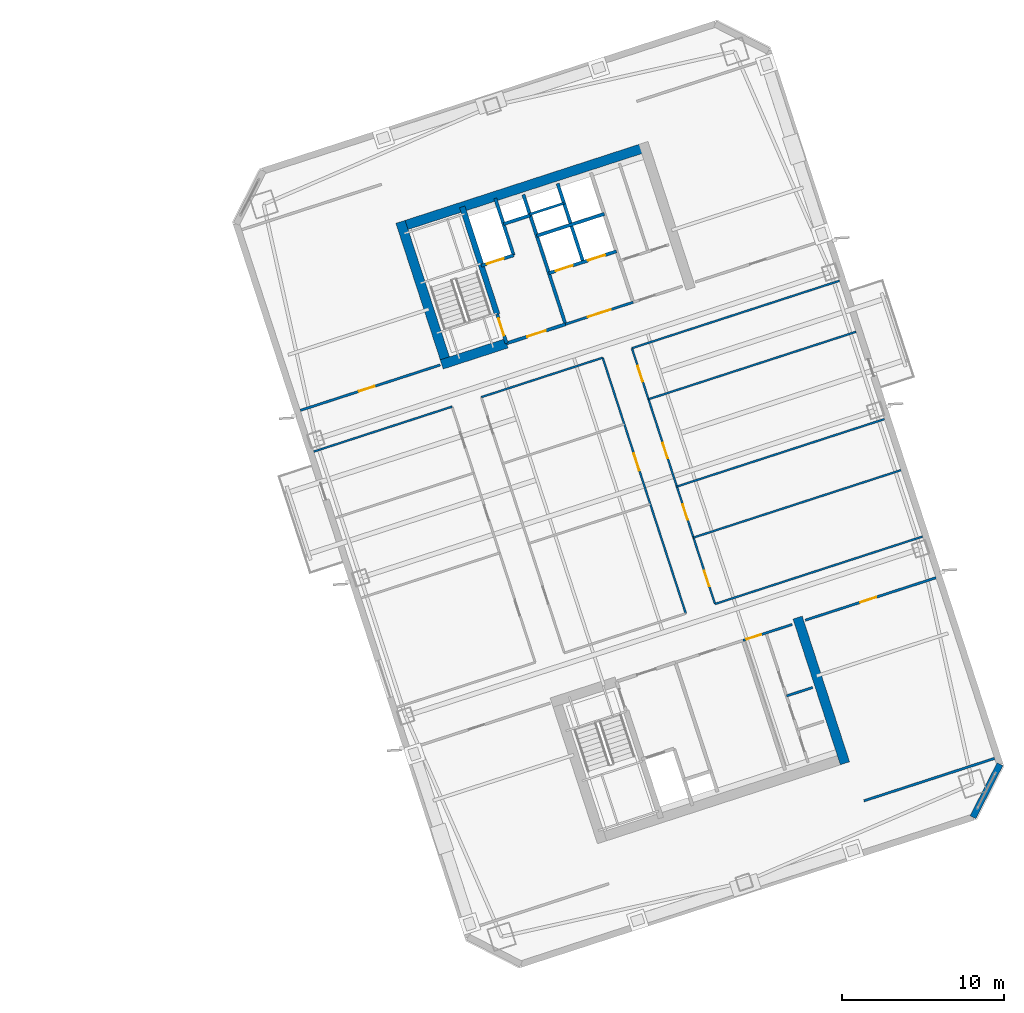
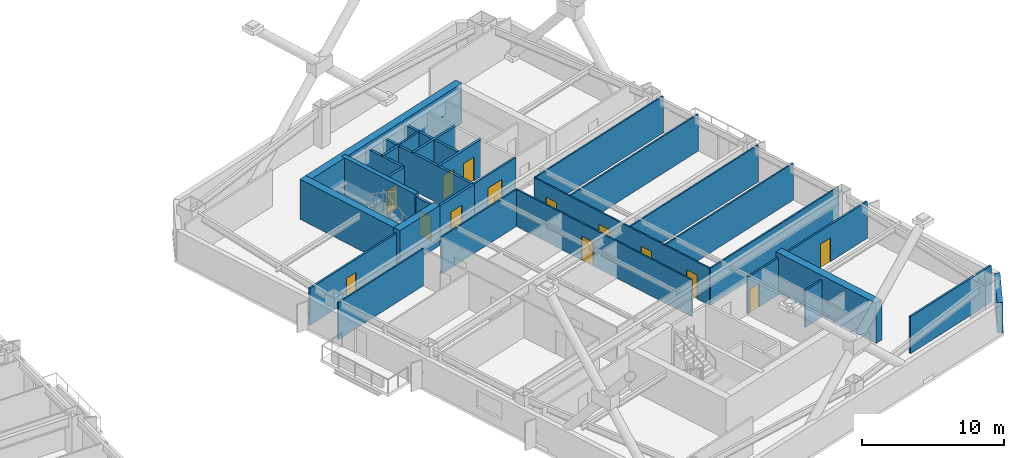
# One storey, part 16 of 24: 31 walls, 14 doors, 14 openings.
"""IFC4 building model written with IfcOpenShell, lengths in metres."""

from ifc_helpers import new_model, si_unit, direction, frame, frame_2d, origin, place, context, subcontext, project, spatial, rectangle, extrude, material, layer, layer_set, type_object, element, fill, save


model = new_model("IFC4")

# Units and contexts
model_context = context("Model", 3, precision=1e-05, world=origin(), true_north=direction((0.0, 1.0)))
body_context = subcontext(model_context, "Body", "Model", "MODEL_VIEW")
ifc_project = project(units=[si_unit("LENGTHUNIT", "METRE"), si_unit("AREAUNIT", "SQUARE_METRE"), si_unit("VOLUMEUNIT", "CUBIC_METRE"), si_unit("PLANEANGLEUNIT", "RADIAN"), si_unit("MASSUNIT", "GRAM", prefix="KILO")], contexts=[model_context])

# Site, building, storey
site_placement = place(None, origin())
site = spatial("IfcSite", under=ifc_project, at=site_placement, CompositionType="ELEMENT")
building_placement = place(site_placement, origin())
building = spatial("IfcBuilding", under=site, at=building_placement, Name="Qiaolan Cultural Towers", CompositionType="ELEMENT")
storey_placement = place(building_placement, frame((0.0, 0.0, 120.75)))
storey = spatial("IfcBuildingStorey", under=building, at=storey_placement, Name="L31", CompositionType="ELEMENT", Elevation=120.75)

# Walls
ifc_material_1 = material(Name="Concrete C50", Category="concrete")
ifc_layer_1 = layer(ifc_material_1, 0.35009765625)
ifc_layer_set_1 = layer_set([ifc_layer_1], Name="Concrete C50")
wall_type_1 = type_object("IfcWallType", Name="WL-CORE-350", PredefinedType="SHEAR", material=ifc_layer_set_1)
wall_1_placement = place(storey_placement, frame((82.513671875, 45.13134765625, 0.0), z_axis=(0.0, 0.0, 1.0), x_axis=(-0.308988790936, 0.951065679686, 0.0)))
element("IfcWall", 1, at=wall_1_placement, inside=storey, type_object=wall_type_1, Name="L31 T2-CN Stair Core Dividing Web", PredefinedType="SHEAR", context=body_context, shape_type="SweptSolid", body=[
    extrude(rectangle(XDim=6.97998046875, YDim=0.35009765625, at=frame_2d((3.489990234375, 0.0))), origin(), (0.0, 0.0, 1.0), 3.449951171875),
])
ifc_material_2 = material(Name="Concrete C55", Category="concrete")
ifc_layer_2 = layer(ifc_material_2, 0.60009765625)
ifc_layer_set_2 = layer_set([ifc_layer_2], Name="Concrete C55")
wall_type_2 = type_object("IfcWallType", Name="WL-CORE-600", PredefinedType="SHEAR", material=ifc_layer_set_2)
wall_2_placement = place(storey_placement, frame((101.105224609375, 26.357666015625, 0.0), z_axis=(0.0, 0.0, 1.0), x_axis=(0.309010370028, -0.95105866865, 0.0)))
element("IfcWall", 2, at=wall_2_placement, inside=storey, type_object=wall_type_2, Name="L31 T2-CS East Core Shear Wall", PredefinedType="SHEAR", context=body_context, shape_type="SweptSolid", body=[
    extrude(rectangle(XDim=9.47998046875, YDim=0.60009765625, at=frame_2d((4.739990234375, 0.0))), origin(), (0.0, 0.0, 1.0), 3.449951171875),
])
wall_3_placement = place(storey_placement, frame((76.343505859375, 50.4658203125, 0.0), z_axis=(0.0, 0.0, 1.0), x_axis=(0.951055727519, 0.309019421968, 0.0)))
element("IfcWall", 3, at=wall_3_placement, inside=storey, type_object=wall_type_2, Name="L31 T2-CN Outer Core Shear Wall", PredefinedType="SHEAR", context=body_context, shape_type="SweptSolid", body=[
    extrude(rectangle(XDim=16.39990234375, YDim=0.60009765625, at=frame_2d((8.199951171875, 0.0))), origin(), (0.0, 0.0, 1.0), 3.449951171875),
])
wall_4_placement = place(storey_placement, frame((79.465576171875, 41.827880859375, 0.0), z_axis=(0.0, 0.0, 1.0), x_axis=(-0.309041232772, 0.951048640421, 0.0)))
element("IfcWall", 4, at=wall_4_placement, inside=storey, type_object=wall_type_2, Name="L31 T2-CN West Core Shear Wall", PredefinedType="SHEAR", context=body_context, shape_type="SweptSolid", body=[
    extrude(rectangle(XDim=9.47998046875, YDim=0.60009765625, at=frame_2d((4.739990234375, 0.0))), origin(), (0.0, 0.0, 1.0), 3.449951171875),
])
wall_5_placement = place(storey_placement, frame((79.08740234375, 42.0205078125, 0.0), z_axis=(0.0, 0.0, 1.0), x_axis=(0.951062550203, 0.3089984233, 0.0)))
element("IfcWall", 5, at=wall_5_placement, inside=storey, type_object=wall_type_2, Name="L31 T2-CN Stair Front Shear Wall", PredefinedType="SHEAR", context=body_context, shape_type="SweptSolid", body=[
    extrude(rectangle(XDim=4.219970703125, YDim=0.60009765625, at=frame_2d((2.10986328125, 0.0))), origin(), (0.0, 0.0, 1.0), 3.449951171875),
])
ifc_material_3 = material(Name="Precast Concrete C50 Honed Stone Pier", Category="masonry")
ifc_layer_3 = layer(ifc_material_3, 0.39990234375)
ifc_layer_set_3 = layer_set([ifc_layer_3], Name="Precast Concrete C50 Honed Stone Pier")
wall_type_3 = type_object("IfcWallType", Name="WL-EXT-PIER-400", PredefinedType="SOLIDWALL", material=ifc_layer_set_3)
wall_6_placement = place(storey_placement, frame((113.62255859375, 17.281494140625, 0.0), z_axis=(0.0, 0.0, 1.0), x_axis=(-0.454026238093, -0.890988313685, 0.0)))
element("IfcWall", 6, at=wall_6_placement, inside=storey, type_object=wall_type_3, Name="L31 East Tower Precast Pier Facade Wall F6", PredefinedType="SOLIDWALL", context=body_context, shape_type="SweptSolid", body=[
    extrude(rectangle(XDim=3.677001953125, YDim=0.39990234375, at=frame_2d((1.83837890625, 0.0))), origin(), (0.0, 0.0, 1.0), 2.610107421875),
])

# Wall, opening, door
ifc_material_4 = material(Name="Concrete C35 Fire Wall", Category="concrete")
ifc_layer_4 = layer(ifc_material_4, 0.199951171875)
ifc_layer_set_4 = layer_set([ifc_layer_4], Name="Concrete C35 Fire Wall")
wall_type_4 = type_object("IfcWallType", Name="WL-FIRE-200", PredefinedType="PARTITIONING", material=ifc_layer_set_4)
wall_7_placement = place(storey_placement, frame((83.100830078125, 43.324462890625, 0.0), z_axis=(0.0, 0.0, 1.0), x_axis=(-0.309048298632, 0.951046344356, 0.0)))
wall_7 = element("IfcWall", 7, at=wall_7_placement, inside=storey, type_object=wall_type_4, Name="L31 T2-CN Smokeproof Stair Entry Wall", PredefinedType="PARTITIONING", context=body_context, shape_type="SweptSolid", body=[
    extrude(rectangle(XDim=1.89990234375, YDim=0.199951171875, at=frame_2d((0.949951171875, 0.0))), origin(), (0.0, 0.0, 1.0), 3.175048828125),
])
opening_1_placement = place(wall_7_placement, frame((0.52001953125, 0.0, 0.0)))
opening_1 = element("IfcOpeningElement", 8, at=opening_1_placement, cuts=wall_7, Name="Opening FD-04", PredefinedType="OPENING", context=body_context, shape_type="SweptSolid", body=[
    extrude(rectangle(XDim=1.10009765625, YDim=2.050048828125, at=frame_2d((0.550048828125, 1.02490234375))), frame((0.0, 0.10986328125, 0.0), z_axis=(0.0, -1.0, 0.0), x_axis=(1.0, 0.0, 0.0)), (0.0, 0.0, 1.0), 0.219970703125),
])
ifc_material_5 = material(Name="Galvanized Steel Command Fire Door", Category="steel")
door_type_1 = type_object("IfcDoorType", Name="DR-FD90-1100", OperationType="NOTDEFINED", PredefinedType="DOOR", material=ifc_material_5)
door_1_placement = place(opening_1_placement, origin())
door_1 = element("IfcDoor", 9, at=door_1_placement, inside=storey, type_object=door_type_1, Name="L31 ST-E2 Smokeproof Stair Fire Door", OperationType="SINGLE_SWING_LEFT", OverallHeight=2.050048828125, OverallWidth=1.10009765625, PredefinedType="DOOR", context=body_context, shape_type="SweptSolid", body=[
    extrude(rectangle(XDim=1.10009765625, YDim=2.050048828125, at=frame_2d((0.550048828125, 1.02490234375))), frame((0.0, 0.02490234375, 0.0), z_axis=(0.0, -1.0, 0.0), x_axis=(1.0, 0.0, 0.0)), (0.0, 0.0, 1.0), 0.050048828125),
])
fill(opening_1, door_1)

# Wall
wall_8_placement = place(storey_placement, frame((86.743408203125, 44.508056640625, 0.0), z_axis=(0.0, 0.0, 1.0), x_axis=(-0.309016001439, 0.951056838919, 0.0)))
element("IfcWall", 10, at=wall_8_placement, inside=storey, type_object=wall_type_4, Name="L31 T2-CN Firefighting Zone Wall", PredefinedType="PARTITIONING", context=body_context, shape_type="SweptSolid", body=[
    extrude(rectangle(XDim=8.429931640625, YDim=0.199951171875, at=frame_2d((4.21484375, 0.0))), origin(), (0.0, 0.0, 1.0), 3.175048828125),
])

# Wall, opening, door
wall_9_placement = place(storey_placement, frame((83.100830078125, 43.324462890625, 0.0), z_axis=(0.0, 0.0, 1.0), x_axis=(0.951052804469, 0.309028417967, 0.0)))
wall_9 = element("IfcWall", 11, at=wall_9_placement, inside=storey, type_object=wall_type_4, Name="L31 T2-CN Firefighting Lobby Front Wall", PredefinedType="PARTITIONING", context=body_context, shape_type="SweptSolid", body=[
    extrude(rectangle(XDim=3.830078125, YDim=0.199951171875, at=frame_2d((1.9150390625, 0.0))), origin(), (0.0, 0.0, 1.0), 3.175048828125),
])
opening_2_placement = place(wall_9_placement, frame((1.35009765625, 0.0, 0.0)))
opening_2 = element("IfcOpeningElement", 12, at=opening_2_placement, cuts=wall_9, Name="Opening FD-03", PredefinedType="OPENING", context=body_context, shape_type="SweptSolid", body=[
    extrude(rectangle(XDim=1.199951171875, YDim=2.050048828125, at=frame_2d((0.60009765625, 1.02490234375))), frame((0.0, 0.10986328125, 0.0), z_axis=(0.0, -1.0, 0.0), x_axis=(1.0, 0.0, 0.0)), (0.0, 0.0, 1.0), 0.219970703125),
])
ifc_material_6 = material(Name="Galvanized Steel Smokeproof Lobby Fire Door", Category="steel")
door_type_2 = type_object("IfcDoorType", Name="DR-FD90-1200", OperationType="NOTDEFINED", PredefinedType="DOOR", material=ifc_material_6)
door_2_placement = place(opening_2_placement, origin())
door_2 = element("IfcDoor", 13, at=door_2_placement, inside=storey, type_object=door_type_2, Name="L31 FFL-E2 Firefighting Lobby Fire Door", OperationType="SINGLE_SWING_LEFT", OverallHeight=2.050048828125, OverallWidth=1.199951171875, PredefinedType="DOOR", context=body_context, shape_type="SweptSolid", body=[
    extrude(rectangle(XDim=1.199951171875, YDim=2.050048828125, at=frame_2d((0.60009765625, 1.02490234375))), frame((0.0, 0.02490234375, 0.0), z_axis=(0.0, -1.0, 0.0), x_axis=(1.0, 0.0, 0.0)), (0.0, 0.0, 1.0), 0.050048828125),
])
fill(opening_2, door_2)

wall_10_placement = place(storey_placement, frame((81.540283203125, 48.127197265625, 0.0), z_axis=(0.0, 0.0, 1.0), x_axis=(0.951062257173, 0.308999325213, 0.0)))
wall_10 = element("IfcWall", 14, at=wall_10_placement, inside=storey, type_object=wall_type_4, Name="L31 T2-CN Firefighting Shaft Front Wall", PredefinedType="PARTITIONING", context=body_context, shape_type="SweptSolid", body=[
    extrude(rectangle(XDim=2.10009765625, YDim=0.199951171875, at=frame_2d((1.050048828125, 0.0))), origin(), (0.0, 0.0, 1.0), 3.175048828125),
])
opening_3_placement = place(wall_10_placement, frame((0.35009765625, 0.0, 0.0)))
opening_3 = element("IfcOpeningElement", 15, at=opening_3_placement, cuts=wall_10, Name="Opening LD-01", PredefinedType="OPENING", context=body_context, shape_type="SweptSolid", body=[
    extrude(rectangle(XDim=1.10009765625, YDim=2.050048828125, at=frame_2d((0.550048828125, 1.02490234375))), frame((0.0, 0.10986328125, 0.0), z_axis=(0.0, -1.0, 0.0), x_axis=(1.0, 0.0, 0.0)), (0.0, 0.0, 1.0), 0.219970703125),
])
ifc_material_7 = material(Name="Brushed Stainless Steel S30408 Centre-Parting Lift Landing Door", Category="steel")
door_type_3 = type_object("IfcDoorType", Name="DR-LIFT-1100", OperationType="NOTDEFINED", PredefinedType="DOOR", material=ifc_material_7)
door_3_placement = place(opening_3_placement, origin())
door_3 = element("IfcDoor", 16, at=door_3_placement, inside=storey, type_object=door_type_3, Name="L31 FFL-E2 Firefighting Lift Landing Door", OperationType="DOUBLE_DOOR_SLIDING", OverallHeight=2.050048828125, OverallWidth=1.10009765625, PredefinedType="DOOR", context=body_context, shape_type="SweptSolid", body=[
    extrude(rectangle(XDim=1.10009765625, YDim=2.050048828125, at=frame_2d((0.550048828125, 1.02490234375))), frame((0.0, 0.02490234375, 0.0), z_axis=(0.0, -1.0, 0.0), x_axis=(1.0, 0.0, 0.0)), (0.0, 0.0, 1.0), 0.050048828125),
])
fill(opening_3, door_3)

# Walls
wall_11_placement = place(storey_placement, frame((83.53759765625, 48.776123046875, 0.0), z_axis=(0.0, 0.0, 1.0), x_axis=(-0.3089935693, 0.951064127245, 0.0)))
element("IfcWall", 17, at=wall_11_placement, inside=storey, type_object=wall_type_4, Name="L31 T2-CN Firefighting Hoistway East Wall", PredefinedType="PARTITIONING", context=body_context, shape_type="SweptSolid", body=[
    extrude(rectangle(XDim=3.7001953125, YDim=0.199951171875, at=frame_2d((1.85009765625, 0.0))), origin(), (0.0, 0.0, 1.0), 3.175048828125),
])
wall_12_placement = place(storey_placement, frame((82.910400390625, 50.706787109375, 0.0), z_axis=(0.0, 0.0, 1.0), x_axis=(0.951041328149, 0.309063734775, 0.0)))
element("IfcWall", 18, at=wall_12_placement, inside=storey, type_object=wall_type_4, Name="L31 T2-CN Pressurization Shaft Front Wall", PredefinedType="PARTITIONING", context=body_context, shape_type="SweptSolid", body=[
    extrude(rectangle(XDim=1.72998046875, YDim=0.199951171875, at=frame_2d((0.864990234375, 0.0))), origin(), (0.0, 0.0, 1.0), 3.175048828125),
])

# Wall, openings, doors
wall_13_placement = place(storey_placement, frame((85.717529296875, 47.66552734375, 0.0), z_axis=(0.0, 0.0, 1.0), x_axis=(0.951058531764, 0.30901079133, 0.0)))
wall_13 = element("IfcWall", 19, at=wall_13_placement, inside=storey, type_object=wall_type_4, Name="L31 T2-CN Passenger Lift Shaft Front Wall", PredefinedType="PARTITIONING", context=body_context, shape_type="SweptSolid", body=[
    extrude(rectangle(XDim=4.39990234375, YDim=0.199951171875, at=frame_2d((2.199951171875, 0.0))), origin(), (0.0, 0.0, 1.0), 3.175048828125),
])
opening_4_placement = place(wall_13_placement, frame((0.449951171875, 0.0, 0.0)))
opening_4 = element("IfcOpeningElement", 20, at=opening_4_placement, cuts=wall_13, Name="Opening LD-01", PredefinedType="OPENING", context=body_context, shape_type="SweptSolid", body=[
    extrude(rectangle(XDim=1.10009765625, YDim=2.050048828125, at=frame_2d((0.550048828125, 1.02490234375))), frame((0.0, 0.10986328125, 0.0), z_axis=(0.0, -1.0, 0.0), x_axis=(1.0, 0.0, 0.0)), (0.0, 0.0, 1.0), 0.219970703125),
])
opening_5_placement = place(wall_13_placement, frame((2.550048828125, 0.0, 0.0)))
opening_5 = element("IfcOpeningElement", 21, at=opening_5_placement, cuts=wall_13, Name="Opening LD-01", PredefinedType="OPENING", context=body_context, shape_type="SweptSolid", body=[
    extrude(rectangle(XDim=1.10009765625, YDim=2.050048828125, at=frame_2d((0.550048828125, 1.02490234375))), frame((0.0, 0.10986328125, 0.0), z_axis=(0.0, -1.0, 0.0), x_axis=(1.0, 0.0, 0.0)), (0.0, 0.0, 1.0), 0.219970703125),
])
door_4_placement = place(opening_4_placement, origin())
door_4 = element("IfcDoor", 22, at=door_4_placement, inside=storey, type_object=door_type_3, Name="L31 Passenger Lift 1 Landing Door", OperationType="DOUBLE_DOOR_SLIDING", OverallHeight=2.050048828125, OverallWidth=1.10009765625, PredefinedType="DOOR", context=body_context, shape_type="SweptSolid", body=[
    extrude(rectangle(XDim=1.10009765625, YDim=2.050048828125, at=frame_2d((0.550048828125, 1.02490234375))), frame((0.0, 0.02490234375, 0.0), z_axis=(0.0, -1.0, 0.0), x_axis=(1.0, 0.0, 0.0)), (0.0, 0.0, 1.0), 0.050048828125),
])
fill(opening_4, door_4)
door_5_placement = place(opening_5_placement, origin())
door_5 = element("IfcDoor", 23, at=door_5_placement, inside=storey, type_object=door_type_3, Name="L31 Passenger Lift 2 Landing Door", OperationType="DOUBLE_DOOR_SLIDING", OverallHeight=2.050048828125, OverallWidth=1.10009765625, PredefinedType="DOOR", context=body_context, shape_type="SweptSolid", body=[
    extrude(rectangle(XDim=1.10009765625, YDim=2.050048828125, at=frame_2d((0.550048828125, 1.02490234375))), frame((0.0, 0.02490234375, 0.0), z_axis=(0.0, -1.0, 0.0), x_axis=(1.0, 0.0, 0.0)), (0.0, 0.0, 1.0), 0.050048828125),
])
fill(opening_5, door_5)

# Walls
wall_14_placement = place(storey_placement, frame((87.83837890625, 48.3544921875, 0.0), z_axis=(0.0, 0.0, 1.0), x_axis=(-0.3090093719, 0.951058992953, 0.0)))
element("IfcWall", 24, at=wall_14_placement, inside=storey, type_object=wall_type_4, Name="L31 T2-CN Lift Shaft Divider Wall", PredefinedType="PARTITIONING", context=body_context, shape_type="SweptSolid", body=[
    extrude(rectangle(XDim=5.110107421875, YDim=0.199951171875, at=frame_2d((2.55517578125, 0.0))), origin(), (0.0, 0.0, 1.0), 3.175048828125),
])
wall_15_placement = place(storey_placement, frame((84.966552734375, 49.9765625, 0.0), z_axis=(0.0, 0.0, 1.0), x_axis=(0.951063829732, 0.308994485023, 0.0)))
element("IfcWall", 25, at=wall_15_placement, inside=storey, type_object=wall_type_4, Name="L31 T2-CN Passenger Lift Shaft Back Wall", PredefinedType="PARTITIONING", context=body_context, shape_type="SweptSolid", body=[
    extrude(rectangle(XDim=4.400146484375, YDim=0.199951171875, at=frame_2d((2.2001953125, 0.0))), origin(), (0.0, 0.0, 1.0), 3.175048828125),
])
ifc_material_8 = material(Name="Gypsum Stud Acoustic Partition", Category="gypsum")
ifc_layer_5 = layer(ifc_material_8, 0.1201171875)
ifc_layer_set_5 = layer_set([ifc_layer_5], Name="Gypsum Stud Acoustic Partition")
wall_type_5 = type_object("IfcWallType", Name="WL-PART-120", PredefinedType="PARTITIONING", material=ifc_layer_set_5)
wall_16_placement = place(storey_placement, frame((95.994873046875, 27.19970703125, 0.0), z_axis=(0.0, 0.0, 1.0), x_axis=(0.951057589409, 0.309013691651, 0.0)))
element("IfcWall", 26, at=wall_16_placement, inside=storey, type_object=wall_type_5, Name="L31 T2 Interior Wall", PredefinedType="PARTITIONING", context=body_context, shape_type="SweptSolid", body=[
    extrude(rectangle(XDim=13.499755859375, YDim=0.1201171875, at=frame_2d((6.75, 0.0))), origin(), (0.0, 0.0, 1.0), 3.175048828125),
])
wall_17_placement = place(storey_placement, frame((71.166015625, 36.628662109375, 0.0), z_axis=(0.0, 0.0, 1.0), x_axis=(0.951059383421, 0.309008170129, 0.0)))
element("IfcWall", 27, at=wall_17_placement, inside=storey, type_object=wall_type_5, Name="L31 T2 Interior Wall", PredefinedType="PARTITIONING", context=body_context, shape_type="SweptSolid", body=[
    extrude(rectangle(XDim=8.999755859375, YDim=0.1201171875, at=frame_2d((4.5, 0.0))), origin(), (0.0, 0.0, 1.0), 3.175048828125),
])
wall_18_placement = place(storey_placement, frame((81.532470703125, 39.996826171875, 0.0), z_axis=(0.0, 0.0, 1.0), x_axis=(0.951048148493, 0.309042746635, 0.0)))
element("IfcWall", 28, at=wall_18_placement, inside=storey, type_object=wall_type_5, Name="L31 T2 Interior Wall", PredefinedType="PARTITIONING", context=body_context, shape_type="SweptSolid", body=[
    extrude(rectangle(XDim=7.89990234375, YDim=0.1201171875, at=frame_2d((3.949951171875, 0.0))), origin(), (0.0, 0.0, 1.0), 3.175048828125),
])
wall_19_placement = place(storey_placement, frame((90.852783203125, 43.025146484375, 0.0), z_axis=(0.0, 0.0, 1.0), x_axis=(0.951054001411, 0.309024734286, 0.0)))
element("IfcWall", 29, at=wall_19_placement, inside=storey, type_object=wall_type_5, Name="L31 T2 Interior Wall", PredefinedType="PARTITIONING", context=body_context, shape_type="SweptSolid", body=[
    extrude(rectangle(XDim=13.500244140625, YDim=0.1201171875, at=frame_2d((6.75, 0.0))), origin(), (0.0, 0.0, 1.0), 3.175048828125),
])

# Wall, opening, door
wall_20_placement = place(storey_placement, frame((94.187744140625, 26.612548828125, 0.0), z_axis=(0.0, 0.0, 1.0), x_axis=(-0.30901773025, 0.951056277195, 0.0)))
wall_20 = element("IfcWall", 30, at=wall_20_placement, inside=storey, type_object=wall_type_5, Name="L31 T2 Interior Wall", PredefinedType="PARTITIONING", context=body_context, shape_type="SweptSolid", body=[
    extrude(rectangle(XDim=16.64013671875, YDim=0.1201171875, at=frame_2d((8.320068359375, 0.0))), origin(), (0.0, 0.0, 1.0), 3.175048828125),
])
opening_6_placement = place(wall_20_placement, frame((9.303955078125, 0.0, 0.0)))
opening_6 = element("IfcOpeningElement", 31, at=opening_6_placement, cuts=wall_20, Name="Opening ID-03", PredefinedType="OPENING", context=body_context, shape_type="SweptSolid", body=[
    extrude(rectangle(XDim=1.10009765625, YDim=2.050048828125, at=frame_2d((0.550048828125, 1.02490234375))), frame((0.0, 0.070068359375, 0.0), z_axis=(0.0, -1.0, 0.0), x_axis=(1.0, 0.0, 0.0)), (0.0, 0.0, 1.0), 0.14013671875),
])
ifc_material_9 = material(Name="Oak Veneer Solid-Core Boardroom Door", Category="timber")
door_type_4 = type_object("IfcDoorType", Name="DR-INT-1100", OperationType="NOTDEFINED", PredefinedType="DOOR", material=ifc_material_9)
door_6_placement = place(opening_6_placement, origin())
door_6 = element("IfcDoor", 32, at=door_6_placement, inside=storey, type_object=door_type_4, Name="L31 T2 Central Study Salon Door", OperationType="SINGLE_SWING_LEFT", OverallHeight=2.050048828125, OverallWidth=1.10009765625, PredefinedType="DOOR", context=body_context, shape_type="SweptSolid", body=[
    extrude(rectangle(XDim=1.10009765625, YDim=2.050048828125, at=frame_2d((0.550048828125, 1.02490234375))), frame((0.0, 0.02490234375, 0.0), z_axis=(0.0, -1.0, 0.0), x_axis=(1.0, 0.0, 0.0)), (0.0, 0.0, 1.0), 0.050048828125),
])
fill(opening_6, door_6)

# Wall, openings, doors
wall_21_placement = place(storey_placement, frame((95.994873046875, 27.19970703125, 0.0), z_axis=(0.0, 0.0, 1.0), x_axis=(-0.309022042254, 0.951054876125, 0.0)))
wall_21 = element("IfcWall", 33, at=wall_21_placement, inside=storey, type_object=wall_type_5, Name="L31 T2 Interior Wall", PredefinedType="PARTITIONING", context=body_context, shape_type="SweptSolid", body=[
    extrude(rectangle(XDim=16.639892578125, YDim=0.1201171875, at=frame_2d((8.31982421875, 0.0))), origin(), (0.0, 0.0, 1.0), 3.175048828125),
])
opening_7_placement = place(wall_21_placement, frame((1.159912109375, 0.0, 0.0)))
opening_7 = element("IfcOpeningElement", 34, at=opening_7_placement, cuts=wall_21, Name="Opening ID-04", PredefinedType="OPENING", context=body_context, shape_type="SweptSolid", body=[
    extrude(rectangle(XDim=1.0, YDim=2.050048828125, at=frame_2d((0.5, 1.02490234375))), frame((0.0, 0.070068359375, 0.0), z_axis=(0.0, -1.0, 0.0), x_axis=(1.0, 0.0, 0.0)), (0.0, 0.0, 1.0), 0.14013671875),
])
opening_8_placement = place(wall_21_placement, frame((5.47998046875, 0.0, 0.0)))
opening_8 = element("IfcOpeningElement", 35, at=opening_8_placement, cuts=wall_21, Name="Opening ID-04", PredefinedType="OPENING", context=body_context, shape_type="SweptSolid", body=[
    extrude(rectangle(XDim=1.0, YDim=2.050048828125, at=frame_2d((0.5, 1.02490234375))), frame((0.0, 0.070068359375, 0.0), z_axis=(0.0, -1.0, 0.0), x_axis=(1.0, 0.0, 0.0)), (0.0, 0.0, 1.0), 0.14013671875),
])
opening_9_placement = place(wall_21_placement, frame((9.47998046875, 0.0, 0.0)))
opening_9 = element("IfcOpeningElement", 36, at=opening_9_placement, cuts=wall_21, Name="Opening ID-04", PredefinedType="OPENING", context=body_context, shape_type="SweptSolid", body=[
    extrude(rectangle(XDim=1.0, YDim=2.050048828125, at=frame_2d((0.5, 1.02490234375))), frame((0.0, 0.070068359375, 0.0), z_axis=(0.0, -1.0, 0.0), x_axis=(1.0, 0.0, 0.0)), (0.0, 0.0, 1.0), 0.14013671875),
])
opening_10_placement = place(wall_21_placement, frame((14.47998046875, 0.0, 0.0)))
opening_10 = element("IfcOpeningElement", 37, at=opening_10_placement, cuts=wall_21, Name="Opening ID-04", PredefinedType="OPENING", context=body_context, shape_type="SweptSolid", body=[
    extrude(rectangle(XDim=1.0, YDim=2.050048828125, at=frame_2d((0.5, 1.02490234375))), frame((0.0, 0.070068359375, 0.0), z_axis=(0.0, -1.0, 0.0), x_axis=(1.0, 0.0, 0.0)), (0.0, 0.0, 1.0), 0.14013671875),
])
ifc_material_10 = material(Name="Oak Veneer Acoustic Office Door", Category="timber")
door_type_5 = type_object("IfcDoorType", Name="DR-INT-1000", OperationType="NOTDEFINED", PredefinedType="DOOR", material=ifc_material_10)
door_7_placement = place(opening_7_placement, origin())
door_7 = element("IfcDoor", 38, at=door_7_placement, inside=storey, type_object=door_type_5, Name="L31 T2 Symposium Room Door", OperationType="SINGLE_SWING_RIGHT", OverallHeight=2.050048828125, OverallWidth=1.0, PredefinedType="DOOR", context=body_context, shape_type="SweptSolid", body=[
    extrude(rectangle(XDim=1.0, YDim=2.050048828125, at=frame_2d((0.5, 1.02490234375))), frame((0.0, 0.02490234375, 0.0), z_axis=(0.0, -1.0, 0.0), x_axis=(1.0, 0.0, 0.0)), (0.0, 0.0, 1.0), 0.050048828125),
])
fill(opening_7, door_7)
door_8_placement = place(opening_8_placement, origin())
door_8 = element("IfcDoor", 39, at=door_8_placement, inside=storey, type_object=door_type_5, Name="L31 T2 Symposium Room Door", OperationType="SINGLE_SWING_RIGHT", OverallHeight=2.050048828125, OverallWidth=1.0, PredefinedType="DOOR", context=body_context, shape_type="SweptSolid", body=[
    extrude(rectangle(XDim=1.0, YDim=2.050048828125, at=frame_2d((0.5, 1.02490234375))), frame((0.0, 0.02490234375, 0.0), z_axis=(0.0, -1.0, 0.0), x_axis=(1.0, 0.0, 0.0)), (0.0, 0.0, 1.0), 0.050048828125),
])
fill(opening_8, door_8)
door_9_placement = place(opening_9_placement, origin())
door_9 = element("IfcDoor", 40, at=door_9_placement, inside=storey, type_object=door_type_5, Name="L31 T2 Symposium Room Door", OperationType="SINGLE_SWING_LEFT", OverallHeight=2.050048828125, OverallWidth=1.0, PredefinedType="DOOR", context=body_context, shape_type="SweptSolid", body=[
    extrude(rectangle(XDim=1.0, YDim=2.050048828125, at=frame_2d((0.5, 1.02490234375))), frame((0.0, 0.02490234375, 0.0), z_axis=(0.0, -1.0, 0.0), x_axis=(1.0, 0.0, 0.0)), (0.0, 0.0, 1.0), 0.050048828125),
])
fill(opening_9, door_9)
door_10_placement = place(opening_10_placement, origin())
door_10 = element("IfcDoor", 41, at=door_10_placement, inside=storey, type_object=door_type_5, Name="L31 T2 Reading Lounge Door", OperationType="SINGLE_SWING_LEFT", OverallHeight=2.050048828125, OverallWidth=1.0, PredefinedType="DOOR", context=body_context, shape_type="SweptSolid", body=[
    extrude(rectangle(XDim=1.0, YDim=2.050048828125, at=frame_2d((0.5, 1.02490234375))), frame((0.0, 0.02490234375, 0.0), z_axis=(0.0, -1.0, 0.0), x_axis=(1.0, 0.0, 0.0)), (0.0, 0.0, 1.0), 0.050048828125),
])
fill(opening_10, door_10)

# Walls
for number, where, z_axis, x_axis, name in (
    (42, (94.659912109375, 31.308349609375, 0.0), (0.0, 0.0, 1.0), (0.951057589409, 0.309013691651, 0.0), "L31 T2 Interior Wall"),
    (43, (93.634033203125, 34.4658203125, 0.0), (0.0, 0.0, 1.0), (0.951057589409, 0.309013691651, 0.0), "L31 T2 Interior Wall"),
):
    element("IfcWall", number, at=place(storey_placement, frame(where, z_axis=z_axis, x_axis=x_axis)), inside=storey, type_object=wall_type_5, Name=name, PredefinedType="PARTITIONING", context=body_context, shape_type="SweptSolid", body=[
        extrude(rectangle(XDim=13.499755859375, YDim=0.1201171875, at=frame_2d((6.75, 0.0))), origin(), (0.0, 0.0, 1.0), 3.175048828125),
    ])
wall_22_placement = place(storey_placement, frame((91.878662109375, 39.86767578125, 0.0), z_axis=(0.0, 0.0, 1.0), x_axis=(0.951054001411, 0.309024734286, 0.0)))
element("IfcWall", 44, at=wall_22_placement, inside=storey, type_object=wall_type_5, Name="L31 T2 Interior Wall", PredefinedType="PARTITIONING", context=body_context, shape_type="SweptSolid", body=[
    extrude(rectangle(XDim=13.500244140625, YDim=0.1201171875, at=frame_2d((6.75, 0.0))), origin(), (0.0, 0.0, 1.0), 3.175048828125),
])

# Wall, opening, door
ifc_material_11 = material(Name="Autoclaved Aerated Concrete Block B06", Category="concrete")
ifc_layer_6 = layer(ifc_material_11, 0.14990234375)
ifc_layer_set_6 = layer_set([ifc_layer_6], Name="Autoclaved Aerated Concrete Block B06")
wall_type_6 = type_object("IfcWallType", Name="WL-PART-150", PredefinedType="PARTITIONING", material=ifc_layer_set_6)
wall_23_placement = place(storey_placement, frame((97.7265625, 24.9443359375, 0.0), z_axis=(0.0, 0.0, 1.0), x_axis=(0.951036872128, 0.309077446369, 0.0)))
wall_23 = element("IfcWall", 45, at=wall_23_placement, inside=storey, type_object=wall_type_6, Name="L31 T2-CS Sanitary Core Front Wall", PredefinedType="PARTITIONING", context=body_context, shape_type="SweptSolid", body=[
    extrude(rectangle(XDim=3.199951171875, YDim=0.14990234375, at=frame_2d((1.60009765625, 0.0))), origin(), (0.0, 0.0, 1.0), 3.175048828125),
])
opening_11_placement = place(wall_23_placement, frame((0.219970703125, 0.0, 0.0)))
opening_11 = element("IfcOpeningElement", 46, at=opening_11_placement, cuts=wall_23, Name="Opening ID-05", PredefinedType="OPENING", context=body_context, shape_type="SweptSolid", body=[
    extrude(rectangle(XDim=0.949951171875, YDim=2.050048828125, at=frame_2d((0.47509765625, 1.02490234375))), frame((0.0, 0.0849609375, 0.0), z_axis=(0.0, -1.0, 0.0), x_axis=(1.0, 0.0, 0.0)), (0.0, 0.0, 1.0), 0.169921875),
])
ifc_material_12 = material(Name="Fire-Rated Laminate Accessible Core Door", Category="timber")
door_type_6 = type_object("IfcDoorType", Name="DR-INT-950", OperationType="NOTDEFINED", PredefinedType="DOOR", material=ifc_material_12)
door_11_placement = place(opening_11_placement, origin())
door_11 = element("IfcDoor", 47, at=door_11_placement, inside=storey, type_object=door_type_6, Name="L31 Sanitary Vestibule Door", OperationType="SINGLE_SWING_LEFT", OverallHeight=2.050048828125, OverallWidth=0.949951171875, PredefinedType="DOOR", context=body_context, shape_type="SweptSolid", body=[
    extrude(rectangle(XDim=0.949951171875, YDim=2.050048828125, at=frame_2d((0.47509765625, 1.02490234375))), frame((0.0, 0.02490234375, 0.0), z_axis=(0.0, -1.0, 0.0), x_axis=(1.0, 0.0, 0.0)), (0.0, 0.0, 1.0), 0.050048828125),
])
fill(opening_11, door_11)

# Wall
wall_24_placement = place(storey_placement, frame((100.420166015625, 21.508544921875, 0.0), z_axis=(0.0, 0.0, 1.0), x_axis=(0.951040401051, 0.309066587596, 0.0)))
element("IfcWall", 48, at=wall_24_placement, inside=storey, type_object=wall_type_6, Name="L31 T2-CS Restroom Split Wall 1", PredefinedType="PARTITIONING", context=body_context, shape_type="SweptSolid", body=[
    extrude(rectangle(XDim=1.699951171875, YDim=0.14990234375, at=frame_2d((0.85009765625, 0.0))), origin(), (0.0, 0.0, 1.0), 3.175048828125),
])

# Wall, opening, door
wall_25_placement = place(storey_placement, frame((86.743408203125, 44.508056640625, 0.0), z_axis=(0.0, 0.0, 1.0), x_axis=(0.951063829732, 0.308994485023, 0.0)))
wall_25 = element("IfcWall", 49, at=wall_25_placement, inside=storey, type_object=wall_type_6, Name="L31 T2-CN Passenger Lift Lobby Front Wall", PredefinedType="PARTITIONING", context=body_context, shape_type="SweptSolid", body=[
    extrude(rectangle(XDim=4.400146484375, YDim=0.14990234375, at=frame_2d((2.2001953125, 0.0))), origin(), (0.0, 0.0, 1.0), 3.175048828125),
])
opening_12_placement = place(wall_25_placement, frame((1.449951171875, 0.0, 0.0)))
opening_12 = element("IfcOpeningElement", 50, at=opening_12_placement, cuts=wall_25, Name="Opening FD-05", PredefinedType="OPENING", context=body_context, shape_type="SweptSolid", body=[
    extrude(rectangle(XDim=1.5, YDim=2.050048828125, at=frame_2d((0.75, 1.02490234375))), frame((0.0, 0.0849609375, 0.0), z_axis=(0.0, -1.0, 0.0), x_axis=(1.0, 0.0, 0.0)), (0.0, 0.0, 1.0), 0.169921875),
])
ifc_material_13 = material(Name="Painted Steel Lift Lobby Fire Door", Category="steel")
door_type_7 = type_object("IfcDoorType", Name="DR-FD60-1500", OperationType="NOTDEFINED", PredefinedType="DOOR", material=ifc_material_13)
door_12_placement = place(opening_12_placement, origin())
door_12 = element("IfcDoor", 51, at=door_12_placement, inside=storey, type_object=door_type_7, Name="L31 Passenger Lift Lobby Entrance", OperationType="SINGLE_SWING_LEFT", OverallHeight=2.050048828125, OverallWidth=1.5, PredefinedType="DOOR", context=body_context, shape_type="SweptSolid", body=[
    extrude(rectangle(XDim=1.5, YDim=2.050048828125, at=frame_2d((0.75, 1.02490234375))), frame((0.0, 0.02490234375, 0.0), z_axis=(0.0, -1.0, 0.0), x_axis=(1.0, 0.0, 0.0)), (0.0, 0.0, 1.0), 0.050048828125),
])
fill(opening_12, door_12)

# Walls
wall_26_placement = place(storey_placement, frame((84.533935546875, 51.30810546875, 0.0), z_axis=(0.0, 0.0, 1.0), x_axis=(0.951075093106, 0.308959814982, 0.0)))
element("IfcWall", 52, at=wall_26_placement, inside=storey, type_object=wall_type_6, Name="L31 T2-CN Core Rear Riser Split", PredefinedType="PARTITIONING", context=body_context, shape_type="SweptSolid", body=[
    extrude(rectangle(XDim=2.22998046875, YDim=0.14990234375, at=frame_2d((1.114990234375, 0.0))), origin(), (0.0, 0.0, 1.0), 3.175048828125),
])
wall_27_placement = place(storey_placement, frame((105.209228515625, 15.02099609375, 0.0), z_axis=(0.0, 0.0, 1.0), x_axis=(0.951054329824, 0.309023723562, 0.0)))
element("IfcWall", 53, at=wall_27_placement, inside=storey, type_object=wall_type_6, Name="L31 T2 Flank Wall FLK-SE", PredefinedType="PARTITIONING", context=body_context, shape_type="SweptSolid", body=[
    extrude(rectangle(XDim=8.5, YDim=0.14990234375, at=frame_2d((4.25, 0.0))), origin(), (0.0, 0.0, 1.0), 3.175048828125),
])

# Wall, opening, door
wall_28_placement = place(storey_placement, frame((101.578369140625, 26.196044921875, 0.0), z_axis=(0.0, 0.0, 1.0), x_axis=(0.951062770994, 0.308997743729, 0.0)))
wall_28 = element("IfcWall", 54, at=wall_28_placement, inside=storey, type_object=wall_type_6, Name="L31 T2 Flank Front FLK-SE", PredefinedType="PARTITIONING", context=body_context, shape_type="SweptSolid", body=[
    extrude(rectangle(XDim=8.5, YDim=0.14990234375, at=frame_2d((4.25, 0.0))), origin(), (0.0, 0.0, 1.0), 3.175048828125),
])
opening_13_placement = place(wall_28_placement, frame((3.570068359375, 0.0, 0.0)))
opening_13 = element("IfcOpeningElement", 55, at=opening_13_placement, cuts=wall_28, Name="Opening ID-07", PredefinedType="OPENING", context=body_context, shape_type="SweptSolid", body=[
    extrude(rectangle(XDim=1.050048828125, YDim=2.050048828125, at=frame_2d((0.52490234375, 1.02490234375))), frame((0.0, 0.0849609375, 0.0), z_axis=(0.0, -1.0, 0.0), x_axis=(1.0, 0.0, 0.0)), (0.0, 0.0, 1.0), 0.169921875),
])
ifc_material_14 = material(Name="Oak Veneer Consultation Door", Category="timber")
door_type_8 = type_object("IfcDoorType", Name="DR-INT-1050", OperationType="NOTDEFINED", PredefinedType="DOOR", material=ifc_material_14)
door_13_placement = place(opening_13_placement, origin())
door_13 = element("IfcDoor", 56, at=door_13_placement, inside=storey, type_object=door_type_8, Name="L31 T2 Corner Studio Door", OperationType="SINGLE_SWING_LEFT", OverallHeight=2.050048828125, OverallWidth=1.050048828125, PredefinedType="DOOR", context=body_context, shape_type="SweptSolid", body=[
    extrude(rectangle(XDim=1.050048828125, YDim=2.050048828125, at=frame_2d((0.52490234375, 1.02490234375))), frame((0.0, 0.02490234375, 0.0), z_axis=(0.0, -1.0, 0.0), x_axis=(1.0, 0.0, 0.0)), (0.0, 0.0, 1.0), 0.050048828125),
])
fill(opening_13, door_13)

wall_29_placement = place(storey_placement, frame((70.337646484375, 39.177490234375, 0.0), z_axis=(0.0, 0.0, 1.0), x_axis=(0.951059695568, 0.309007209409, 0.0)))
wall_29 = element("IfcWall", 57, at=wall_29_placement, inside=storey, type_object=wall_type_6, Name="L31 T2 Flank Front FLK-NW", PredefinedType="PARTITIONING", context=body_context, shape_type="SweptSolid", body=[
    extrude(rectangle(XDim=9.10009765625, YDim=0.14990234375, at=frame_2d((4.550048828125, 0.0))), origin(), (0.0, 0.0, 1.0), 3.175048828125),
])
opening_14_placement = place(wall_29_placement, frame((3.822021484375, 0.0, 0.0)))
opening_14 = element("IfcOpeningElement", 58, at=opening_14_placement, cuts=wall_29, Name="Opening ID-04", PredefinedType="OPENING", context=body_context, shape_type="SweptSolid", body=[
    extrude(rectangle(XDim=1.0, YDim=2.050048828125, at=frame_2d((0.5, 1.02490234375))), frame((0.0, 0.0849609375, 0.0), z_axis=(0.0, -1.0, 0.0), x_axis=(1.0, 0.0, 0.0)), (0.0, 0.0, 1.0), 0.169921875),
])
door_14_placement = place(opening_14_placement, origin())
door_14 = element("IfcDoor", 59, at=door_14_placement, inside=storey, type_object=door_type_5, Name="L31 T2 Corner Studio Door", OperationType="SINGLE_SWING_LEFT", OverallHeight=2.050048828125, OverallWidth=1.0, PredefinedType="DOOR", context=body_context, shape_type="SweptSolid", body=[
    extrude(rectangle(XDim=1.0, YDim=2.050048828125, at=frame_2d((0.5, 1.02490234375))), frame((0.0, 0.02490234375, 0.0), z_axis=(0.0, -1.0, 0.0), x_axis=(1.0, 0.0, 0.0)), (0.0, 0.0, 1.0), 0.050048828125),
])
fill(opening_14, door_14)

save(model, "model.ifc")
